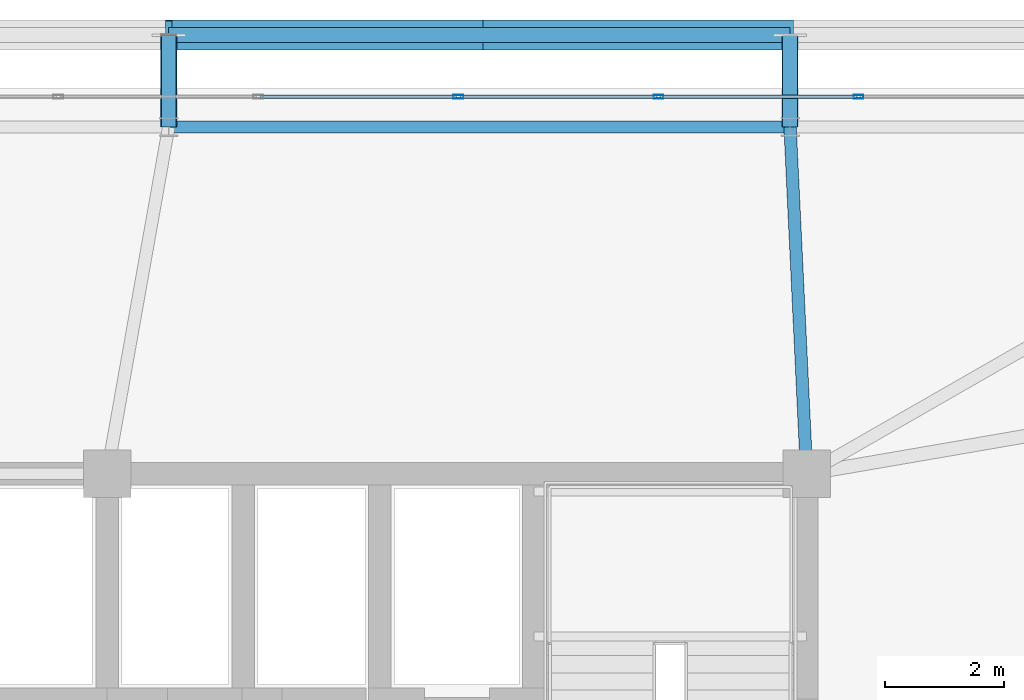
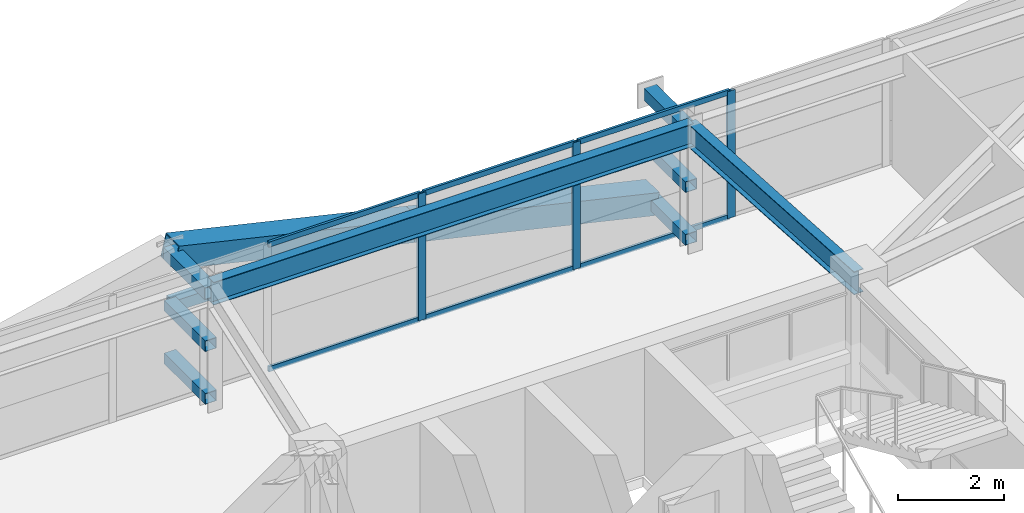
# One storey, part 38 of 58: 18 members, 2 beams, 1 element without a shape of its own.
"""IFC4 building model written with IfcOpenShell, lengths in metres."""

from ifc_helpers import new_model, si_unit, direction, frame, origin, origin_2d, place, context, subcontext, project, spatial, hollow_rectangle, i_section, extrude, source, transform, mapped, material, layer, layer_set, material_profile, profile_set, type_object, element, aggregate, save


model = new_model("IFC4")

# Units and contexts
model_context = context("Model", 3, precision=1e-05, world=origin(), true_north=direction((0.0, 1.0)))
body_context = subcontext(model_context, "Body", "Model", "MODEL_VIEW")
ifc_project = project(units=[si_unit("LENGTHUNIT", "METRE"), si_unit("AREAUNIT", "SQUARE_METRE"), si_unit("VOLUMEUNIT", "CUBIC_METRE"), si_unit("PLANEANGLEUNIT", "RADIAN"), si_unit("MASSUNIT", "GRAM", prefix="KILO")], contexts=[model_context])

# Site, building, storey
site_placement = place(None, origin())
site = spatial("IfcSite", under=ifc_project, at=site_placement, CompositionType="ELEMENT")
building_placement = place(site_placement, origin())
building = spatial("IfcBuilding", under=site, at=building_placement, Name="Taldren Reach Tower", CompositionType="ELEMENT")
storey_placement = place(building_placement, frame((0.0, 0.0, 54.60009765625)))
storey = spatial("IfcBuildingStorey", under=building, at=storey_placement, Name="L16", CompositionType="ELEMENT", Elevation=54.60009765625)

# Beams
ifc_material_1 = material(Name="Steel Gr 350 (350PLUS)", Category="steel")
ifc_material_profile_1 = material_profile(ifc_material_1, i_section(OverallWidth=0.208984375, OverallDepth=0.528076171875, WebThickness=0.009521484375, FlangeThickness=0.01318359375, at=origin_2d()), Name="530UB82.0")
ifc_profile_set_1 = profile_set([ifc_material_profile_1], Name="Steel Gr 350 (350PLUS)")
beam_type_1 = type_object("IfcBeamType", Name="SP-UB530B", PredefinedType="SPANDREL", material=ifc_profile_set_1)
shared_shape_1 = source(origin(), body_context, "Body", "SweptSolid", [
    extrude(i_section(OverallWidth=0.208984375, OverallDepth=0.528076171875, WebThickness=0.009521484375, FlangeThickness=0.01318359375, at=origin_2d()), origin(), (0.0, 0.0, 1.0), 10.47998046875),
])
beam_1_placement = place(storey_placement, frame((50.719970703125, 37.85009765625, 2.666015625), z_axis=(-1.0, 0.0, 0.0), x_axis=(0.0, -1.0, 0.0)))
element("IfcBeam", 1, at=beam_1_placement, inside=storey, type_object=beam_type_1, Name="Perimeter spandrel B1 N5-N4 L16", PredefinedType="SPANDREL", context=body_context, shape_type="MappedRepresentation", body=[
    mapped(shared_shape_1, transform((0.0, 0.0, 0.0), scale=1.0)),
])
ifc_material_profile_2 = material_profile(ifc_material_1, i_section(OverallWidth=0.208984375, OverallDepth=0.532958984375, WebThickness=0.01025390625, FlangeThickness=0.015625, at=origin_2d()), Name="530UB92.4")
ifc_profile_set_2 = profile_set([ifc_material_profile_2], Name="Steel Gr 350 (350PLUS)")
beam_type_2 = type_object("IfcBeamType", Name="BM-UB530A", PredefinedType="BEAM", material=ifc_profile_set_2)
shared_shape_2 = source(origin(), body_context, "Body", "SweptSolid", [
    extrude(i_section(OverallWidth=0.208984375, OverallDepth=0.532958984375, WebThickness=0.01025390625, FlangeThickness=0.015625, at=origin_2d()), origin(), (0.0, 0.0, 1.0), 5.856689453125),
])
beam_2_placement = place(storey_placement, frame((51.0, 32.0, 2.663330078125), z_axis=(-0.047812711672, 0.998856318297, 0.0), x_axis=(-0.998856318297, -0.047812711672, 0.0)))
element("IfcBeam", 2, at=beam_2_placement, inside=storey, type_object=beam_type_2, Name="Primary floor girder B1-N5 L16", PredefinedType="BEAM", context=body_context, shape_type="MappedRepresentation", body=[
    mapped(shared_shape_2, transform((0.0, 0.0, 0.0), scale=1.0)),
])

# Members
ifc_material_2 = material(Name="Steel Gr 450 (C450L0)", Category="steel")
ifc_material_profile_3 = material_profile(ifc_material_2, hollow_rectangle(XDim=0.27490234375, YDim=0.27490234375, WallThickness=0.00927734375, at=origin_2d()), Name="275x275x9.3SHS")
ifc_profile_set_3 = profile_set([ifc_material_profile_3], Name="Steel Gr 450 (C450L0)")
member_type_1 = type_object("IfcMemberType", Name="MB-TIE273", PredefinedType="STRUT", material=ifc_profile_set_3)
shared_shape_3 = source(origin(), body_context, "Body", "SweptSolid", [
    extrude(hollow_rectangle(XDim=0.27490234375, YDim=0.27490234375, WallThickness=0.00927734375, at=origin_2d()), origin(), (0.0, 0.0, 1.0), 1.5498046875),
])
for number, where, z_axis, x_axis, name in (
    (3, (40.239990234375, 37.85009765625, 2.64990234375), (0.0, 1.0, 0.0), (-1.0, 0.0, 0.0), "Exoskeleton diaphragm tie strut B1-N4 L16"),
    (4, (50.719970703125, 37.85009765625, 2.64990234375), (0.0, 1.0, 0.0), (-1.0, 0.0, 0.0), "Exoskeleton diaphragm tie strut B1-N5 L16"),
):
    element("IfcMember", number, at=place(storey_placement, frame(where, z_axis=z_axis, x_axis=x_axis)), inside=storey, type_object=member_type_1, Name=name, PredefinedType="STRUT", context=body_context, shape_type="MappedRepresentation", body=[
        mapped(shared_shape_3, transform((0.0, 0.0, 0.0), scale=1.0)),
    ])
ifc_material_profile_4 = material_profile(ifc_material_2, hollow_rectangle(XDim=0.510009765625, YDim=0.510009765625, WallThickness=0.02001953125, at=origin_2d()), Name="510x510x20.0SHS")
ifc_profile_set_4 = profile_set([ifc_material_profile_4], Name="Steel Gr 450 (C450L0)")
member_type_2 = type_object("IfcMemberType", Name="MB-EXO508", PredefinedType="BRACE", material=ifc_profile_set_4)
shared_shape_4 = source(origin(), body_context, "Body", "SweptSolid", [
    extrude(hollow_rectangle(XDim=0.510009765625, YDim=0.510009765625, WallThickness=0.02001953125, at=origin_2d()), origin(), (0.0, 0.0, 1.0), 5.37890625),
])
for number, where, z_axis, x_axis, name in (
    (5, (50.719970703125, 39.39990234375, 0.219970703125), (-0.974161966843, 0.0, 0.225850531007), (0.0, -1.0, 0.0), "Exoskeleton Diagrid Brace B1-N4 L16"),
    (6, (45.47998046875, 39.39990234375, 1.434814453125), (-0.97415197996, 0.0, 0.225893603143), (0.0, -1.0, 0.0), "Exoskeleton Diagrid Brace B1-N4 L16"),
):
    element("IfcMember", number, at=place(storey_placement, frame(where, z_axis=z_axis, x_axis=x_axis)), inside=storey, type_object=member_type_2, Name=name, PredefinedType="BRACE", context=body_context, shape_type="MappedRepresentation", body=[
        mapped(shared_shape_4, transform((0.0, 0.0, 0.0), scale=1.0)),
    ])
ifc_material_3 = material(Name="Steel Gr 350 (C350L0)", Category="steel")
ifc_material_profile_5 = material_profile(ifc_material_3, hollow_rectangle(XDim=0.25, YDim=0.25, WallThickness=0.010009765625, at=origin_2d()), Name="250x250x10.0SHS")
ifc_profile_set_5 = profile_set([ifc_material_profile_5], Name="Steel Gr 350 (C350L0)")
member_type_3 = type_object("IfcMemberType", Name="MB-POST250", PredefinedType="POST", material=ifc_profile_set_5)
shared_shape_5 = source(origin(), body_context, "Body", "SweptSolid", [
    extrude(hollow_rectangle(XDim=0.25, YDim=0.25, WallThickness=0.010009765625, at=origin_2d()), origin(), (0.0, 0.0, 1.0), 10.47998046875),
])
member_1_placement = place(storey_placement, frame((40.239990234375, 39.39990234375, 1.434814453125), z_axis=(1.0, 0.0, 0.0), x_axis=(0.0, 1.0, 0.0)))
element("IfcMember", 7, at=member_1_placement, inside=storey, type_object=member_type_3, Name="Exoskeleton mid-height ring chord B1-N4 L16", PredefinedType="POST", context=body_context, shape_type="MappedRepresentation", body=[
    mapped(shared_shape_5, transform((0.0, 0.0, 0.0), scale=1.0)),
])
shared_shape_6 = source(origin(), body_context, "Body", "SweptSolid", [
    extrude(hollow_rectangle(XDim=0.25, YDim=0.25, WallThickness=0.010009765625, at=origin_2d()), origin(), (0.0, 0.0, 1.0), 1.5498046875),
])
for number, where, z_axis, x_axis, name in (
    (8, (40.239990234375, 37.85009765625, 0.219970703125), (0.0, 1.0, 0.0), (-1.0, 0.0, 0.0), "Exoskeleton base diaphragm tie strut B1-N4 L16"),
    (9, (50.719970703125, 37.85009765625, 0.219970703125), (0.0, 1.0, 0.0), (-1.0, 0.0, 0.0), "Exoskeleton base diaphragm tie strut B1-N5 L16"),
    (10, (40.239990234375, 37.85009765625, 1.434814453125), (0.0, 1.0, 0.0), (-1.0, 0.0, 0.0), "Exoskeleton mid-tier diaphragm tie B1-N4 L16"),
    (11, (50.719970703125, 37.85009765625, 1.434814453125), (0.0, 1.0, 0.0), (-1.0, 0.0, 0.0), "Exoskeleton mid-tier diaphragm tie B1-N5 L16"),
):
    element("IfcMember", number, at=place(storey_placement, frame(where, z_axis=z_axis, x_axis=x_axis)), inside=storey, type_object=member_type_3, Name=name, PredefinedType="POST", context=body_context, shape_type="MappedRepresentation", body=[
        mapped(shared_shape_6, transform((0.0, 0.0, 0.0), scale=1.0)),
    ])

# Curtain wall, members
ifc_material_4 = material(Name="Aluminium and Low-E Glass Unitised System", Category="aluminium")
ifc_layer = layer(ifc_material_4, 0.159912109375)
ifc_layer_set = layer_set([ifc_layer], Name="Aluminium and Low-E Glass Unitised System")
curtain_wall_type = type_object("IfcCurtainWallType", Name="CW-SYS-2", PredefinedType="NOTDEFINED", material=ifc_layer_set)
curtain_wall_placement = place(storey_placement, origin())
curtain_wall = element("IfcCurtainWall", 12, at=curtain_wall_placement, inside=storey, type_object=curtain_wall_type, Name="Unitised curtain wall CW-L16-N", PredefinedType="NOTDEFINED")
ifc_material_5 = material(Name="Anodised Aluminium 6063-T6", Category="aluminium")
ifc_material_profile_6 = material_profile(ifc_material_5, hollow_rectangle(XDim=0.06494140625, YDim=0.1650390625, WallThickness=0.00390625, at=origin_2d()), Name="ALU-165x65x4RHS")
ifc_profile_set_6 = profile_set([ifc_material_profile_6], Name="Anodised Aluminium 6063-T6")
member_type_4 = type_object("IfcMemberType", Name="CW-MUL-165", PredefinedType="MULLION", material=ifc_profile_set_6)
shared_shape_7 = source(origin(), body_context, "Body", "SweptSolid", [
    extrude(hollow_rectangle(XDim=0.06494140625, YDim=0.1650390625, WallThickness=0.00390625, at=origin_2d()), origin(), (0.0, 0.0, 1.0), 2.929931640625),
])
member_2_placement = place(storey_placement, frame((51.875, 38.360107421875, 0.0), z_axis=(0.0, 0.0, 1.0), x_axis=(0.0, -1.0, 0.0)))
member_2 = element("IfcMember", 13, at=member_2_placement, type_object=member_type_4, Name="CW-2 mullion 4", PredefinedType="MULLION", context=body_context, shape_type="MappedRepresentation", body=[
    mapped(shared_shape_7, transform((0.0, 0.0, 0.0), scale=1.0)),
])
member_3_placement = place(storey_placement, frame((48.5, 38.360107421875, 0.0), z_axis=(0.0, 0.0, 1.0), x_axis=(0.0, -1.0, 0.0)))
member_3 = element("IfcMember", 14, at=member_3_placement, type_object=member_type_4, Name="CW-2 mullion 5", PredefinedType="MULLION", context=body_context, shape_type="MappedRepresentation", body=[
    mapped(shared_shape_7, transform((0.0, 0.0, 0.0), scale=1.0)),
])
member_4_placement = place(storey_placement, frame((45.125, 38.360107421875, 0.0), z_axis=(0.0, 0.0, 1.0), x_axis=(0.0, -1.0, 0.0)))
member_4 = element("IfcMember", 15, at=member_4_placement, type_object=member_type_4, Name="CW-2 mullion 6", PredefinedType="MULLION", context=body_context, shape_type="MappedRepresentation", body=[
    mapped(shared_shape_7, transform((0.0, 0.0, 0.0), scale=1.0)),
])
ifc_material_profile_7 = material_profile(ifc_material_5, hollow_rectangle(XDim=0.054931640625, YDim=0.1201171875, WallThickness=0.0029296875, at=origin_2d()), Name="ALU-120x55x3RHS")
ifc_profile_set_7 = profile_set([ifc_material_profile_7], Name="Anodised Aluminium 6063-T6")
member_type_5 = type_object("IfcMemberType", Name="CW-TRN-135", PredefinedType="USERDEFINED", material=ifc_profile_set_7)
shared_shape_8 = source(origin(), body_context, "Body", "SweptSolid", [
    extrude(hollow_rectangle(XDim=0.054931640625, YDim=0.1201171875, WallThickness=0.0029296875, at=origin_2d()), origin(), (0.0, 0.0, 1.0), 3.31005859375),
])
member_5_placement = place(storey_placement, frame((51.842529296875, 38.360107421875, 0.02734375), z_axis=(-1.0, 0.0, 0.0), x_axis=(0.0, -1.0, 0.0)))
member_5 = element("IfcMember", 16, at=member_5_placement, type_object=member_type_5, Name="CW-2 transom 4.1", ObjectType="TRANSOM", PredefinedType="USERDEFINED", context=body_context, shape_type="MappedRepresentation", body=[
    mapped(shared_shape_8, transform((0.0, 0.0, 0.0), scale=1.0)),
])
member_6_placement = place(storey_placement, frame((51.842529296875, 38.360107421875, 2.90234375), z_axis=(-1.0, 0.0, 0.0), x_axis=(0.0, -1.0, 0.0)))
member_6 = element("IfcMember", 17, at=member_6_placement, type_object=member_type_5, Name="CW-2 transom 4.2", ObjectType="TRANSOM", PredefinedType="USERDEFINED", context=body_context, shape_type="MappedRepresentation", body=[
    mapped(shared_shape_8, transform((0.0, 0.0, 0.0), scale=1.0)),
])
member_7_placement = place(storey_placement, frame((48.467529296875, 38.360107421875, 0.02734375), z_axis=(-1.0, 0.0, 0.0), x_axis=(0.0, -1.0, 0.0)))
member_7 = element("IfcMember", 18, at=member_7_placement, type_object=member_type_5, Name="CW-2 transom 5.1", ObjectType="TRANSOM", PredefinedType="USERDEFINED", context=body_context, shape_type="MappedRepresentation", body=[
    mapped(shared_shape_8, transform((0.0, 0.0, 0.0), scale=1.0)),
])
member_8_placement = place(storey_placement, frame((48.467529296875, 38.360107421875, 2.90234375), z_axis=(-1.0, 0.0, 0.0), x_axis=(0.0, -1.0, 0.0)))
member_8 = element("IfcMember", 19, at=member_8_placement, type_object=member_type_5, Name="CW-2 transom 5.2", ObjectType="TRANSOM", PredefinedType="USERDEFINED", context=body_context, shape_type="MappedRepresentation", body=[
    mapped(shared_shape_8, transform((0.0, 0.0, 0.0), scale=1.0)),
])
member_9_placement = place(storey_placement, frame((45.092529296875, 38.360107421875, 0.02734375), z_axis=(-1.0, 0.0, 0.0), x_axis=(0.0, -1.0, 0.0)))
member_9 = element("IfcMember", 20, at=member_9_placement, type_object=member_type_5, Name="CW-2 transom 6.1", ObjectType="TRANSOM", PredefinedType="USERDEFINED", context=body_context, shape_type="MappedRepresentation", body=[
    mapped(shared_shape_8, transform((0.0, 0.0, 0.0), scale=1.0)),
])
member_10_placement = place(storey_placement, frame((45.092529296875, 38.360107421875, 2.90234375), z_axis=(-1.0, 0.0, 0.0), x_axis=(0.0, -1.0, 0.0)))
member_10 = element("IfcMember", 21, at=member_10_placement, type_object=member_type_5, Name="CW-2 transom 6.2", ObjectType="TRANSOM", PredefinedType="USERDEFINED", context=body_context, shape_type="MappedRepresentation", body=[
    mapped(shared_shape_8, transform((0.0, 0.0, 0.0), scale=1.0)),
])
aggregate(curtain_wall, [member_2, member_3, member_4, member_5, member_6, member_7, member_8, member_9, member_10])

save(model, "model.ifc")
